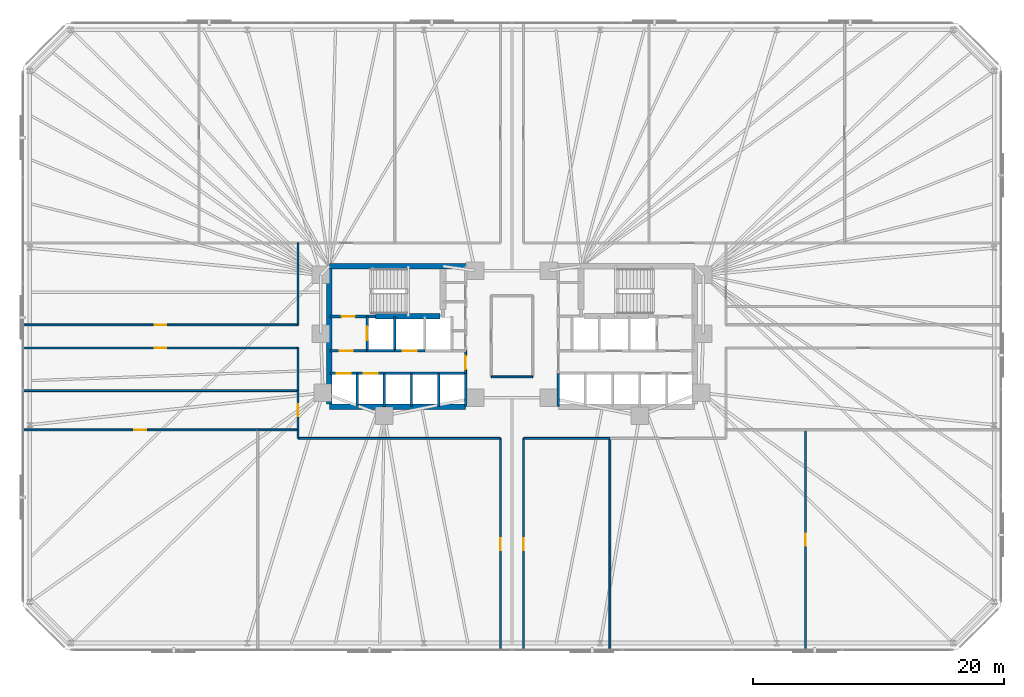
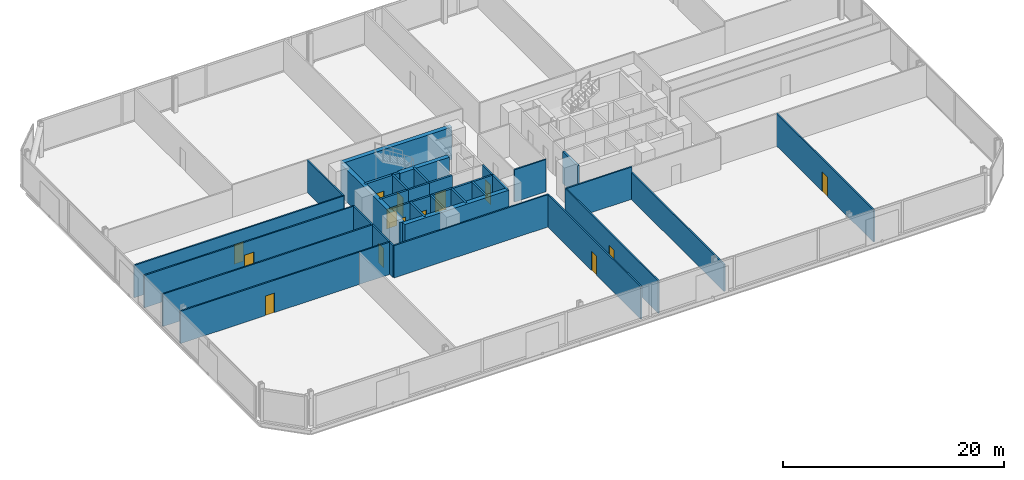
# One storey, part 12 of 17: 34 walls, 14 doors, 14 openings.
"""IFC4 building model written with IfcOpenShell, lengths in metres."""

from ifc_helpers import new_model, si_unit, direction, frame, frame_2d, origin, place, context, subcontext, project, spatial, rectangle, extrude, material, layer, layer_set, type_object, element, fill, save


model = new_model("IFC4")

# Units and contexts
model_context = context("Model", 3, precision=1e-05, world=origin(), true_north=direction((0.0, 1.0)))
body_context = subcontext(model_context, "Body", "Model", "MODEL_VIEW")
ifc_project = project(units=[si_unit("LENGTHUNIT", "METRE"), si_unit("AREAUNIT", "SQUARE_METRE"), si_unit("VOLUMEUNIT", "CUBIC_METRE"), si_unit("PLANEANGLEUNIT", "RADIAN"), si_unit("MASSUNIT", "GRAM", prefix="KILO")], contexts=[model_context])

# Site, building, storey
site_placement = place(None, origin())
site = spatial("IfcSite", under=ifc_project, at=site_placement, CompositionType="ELEMENT")
building_placement = place(site_placement, origin())
building = spatial("IfcBuilding", under=site, at=building_placement, Name="Menara Jurai Vektor", CompositionType="ELEMENT")
storey_placement = place(building_placement, frame((0.0, 0.0, 21.800048828125)))
storey = spatial("IfcBuildingStorey", under=building, at=storey_placement, Name="L04", CompositionType="ELEMENT", Elevation=21.800048828125)

# Wall, opening, door
ifc_material_1 = material(Name="Concrete C40/50", Category="concrete")
ifc_layer_1 = layer(ifc_material_1, 0.25)
ifc_layer_set_1 = layer_set([ifc_layer_1], Name="Concrete C40/50")
wall_type_1 = type_object("IfcWallType", Name="INT-WALL-CORE-250", PredefinedType="STANDARD", material=ifc_layer_set_1)
wall_1_placement = place(storey_placement, frame((-14.5, 1.60009765625, 0.0), z_axis=(0.0, 0.0, 1.0), x_axis=(1.0, 0.0, 0.0)))
wall_1 = element("IfcWall", 1, at=wall_1_placement, inside=storey, type_object=wall_type_1, Name="Interior Wall IW-250 L04", PredefinedType="STANDARD", context=body_context, shape_type="SweptSolid", body=[
    extrude(rectangle(XDim=3.60009765625, YDim=0.25, at=frame_2d((1.800048828125, 0.0))), origin(), (0.0, 0.0, 1.0), 3.574951171875),
])
opening_1_placement = place(wall_1_placement, frame((0.919921875, 0.0, 0.0)))
opening_1 = element("IfcOpeningElement", 2, at=opening_1_placement, cuts=wall_1, Name="Opening D-L04-ST1", PredefinedType="OPENING", context=body_context, shape_type="SweptSolid", body=[
    extrude(rectangle(XDim=1.050048828125, YDim=2.14990234375, at=frame_2d((0.52490234375, 1.074951171875))), frame((0.0, 0.135009765625, 0.0), z_axis=(0.0, -1.0, 0.0), x_axis=(1.0, 0.0, 0.0)), (0.0, 0.0, 1.0), 0.27001953125),
])
ifc_material_2 = material(Name="Fire-Rated Steel Door", Category="steel")
door_type_1 = type_object("IfcDoorType", Name="DR-STAIR-1050", OperationType="NOTDEFINED", PredefinedType="DOOR", material=ifc_material_2)
door_1_placement = place(opening_1_placement, origin())
door_1 = element("IfcDoor", 3, at=door_1_placement, inside=storey, type_object=door_type_1, Name="Exit Stair ST1 Door L04", OperationType="SINGLE_SWING_RIGHT", OverallHeight=2.14990234375, OverallWidth=1.050048828125, PredefinedType="DOOR", context=body_context, shape_type="SweptSolid", body=[
    extrude(rectangle(XDim=1.050048828125, YDim=2.14990234375, at=frame_2d((0.52490234375, 1.074951171875))), frame((0.0, 0.02490234375, 0.0), z_axis=(0.0, -1.0, 0.0), x_axis=(1.0, 0.0, 0.0)), (0.0, 0.0, 1.0), 0.050048828125),
])
fill(opening_1, door_1)

wall_2_placement = place(storey_placement, frame((-11.550048828125, -1.14990234375, 0.0), z_axis=(0.0, 0.0, 1.0), x_axis=(0.0, 1.0, 0.0)))
wall_2 = element("IfcWall", 4, at=wall_2_placement, inside=storey, type_object=wall_type_1, Name="Interior Wall IW-250 L04", PredefinedType="STANDARD", context=body_context, shape_type="SweptSolid", body=[
    extrude(rectangle(XDim=2.75, YDim=0.199951171875, at=frame_2d((1.375, 0.0))), origin(), (0.0, 0.0, 1.0), 3.574951171875),
])
opening_2_placement = place(wall_2_placement, frame((0.824951171875, 0.0, 0.0)))
opening_2 = element("IfcOpeningElement", 5, at=opening_2_placement, cuts=wall_2, Name="Opening LD-L04-FL1", PredefinedType="OPENING", context=body_context, shape_type="SweptSolid", body=[
    extrude(rectangle(XDim=1.10009765625, YDim=2.14990234375, at=frame_2d((0.550048828125, 1.074951171875))), frame((0.0, 0.10986328125, 0.0), z_axis=(0.0, -1.0, 0.0), x_axis=(1.0, 0.0, 0.0)), (0.0, 0.0, 1.0), 0.219970703125),
])
ifc_material_3 = material(Name="Stainless Steel Sliding Lift Landing Door", Category="steel")
door_type_2 = type_object("IfcDoorType", Name="DR-LIFT-FIRE-1100", OperationType="NOTDEFINED", PredefinedType="DOOR", material=ifc_material_3)
door_2_placement = place(opening_2_placement, origin())
door_2 = element("IfcDoor", 6, at=door_2_placement, inside=storey, type_object=door_type_2, Name="Lift Landing Door FL1 L04", OperationType="SLIDING_TO_RIGHT", OverallHeight=2.14990234375, OverallWidth=1.10009765625, PredefinedType="DOOR", context=body_context, shape_type="SweptSolid", body=[
    extrude(rectangle(XDim=1.10009765625, YDim=2.14990234375, at=frame_2d((0.550048828125, 1.074951171875))), frame((0.0, 0.02490234375, 0.0), z_axis=(0.0, -1.0, 0.0), x_axis=(1.0, 0.0, 0.0)), (0.0, 0.0, 1.0), 0.050048828125),
])
fill(opening_2, door_2)

# Wall
wall_3_placement = place(storey_placement, frame((-9.35009765625, -1.14990234375, 0.0), z_axis=(0.0, 0.0, 1.0), x_axis=(0.0, 1.0, 0.0)))
element("IfcWall", 7, at=wall_3_placement, inside=storey, type_object=wall_type_1, Name="Interior Wall IW-250 L04", PredefinedType="STANDARD", context=body_context, shape_type="SweptSolid", body=[
    extrude(rectangle(XDim=2.75, YDim=0.199951171875, at=frame_2d((1.375, 0.0))), origin(), (0.0, 0.0, 1.0), 3.574951171875),
])

# Wall, opening, door
wall_4_placement = place(storey_placement, frame((-14.5, -1.14990234375, 0.0), z_axis=(0.0, 0.0, 1.0), x_axis=(1.0, 0.0, 0.0)))
wall_4 = element("IfcWall", 8, at=wall_4_placement, inside=storey, type_object=wall_type_1, Name="Interior Wall IW-250 L04", PredefinedType="STANDARD", context=body_context, shape_type="SweptSolid", body=[
    extrude(rectangle(XDim=2.949951171875, YDim=0.199951171875, at=frame_2d((1.47509765625, 0.0))), origin(), (0.0, 0.0, 1.0), 3.574951171875),
])
opening_3_placement = place(wall_4_placement, frame((0.75, 0.0, 0.0)))
opening_3 = element("IfcOpeningElement", 9, at=opening_3_placement, cuts=wall_4, Name="Opening D-L04-FFW", PredefinedType="OPENING", context=body_context, shape_type="SweptSolid", body=[
    extrude(rectangle(XDim=1.050048828125, YDim=2.179931640625, at=frame_2d((0.52490234375, 1.08984375))), frame((0.0, 0.10986328125, 0.0), z_axis=(0.0, -1.0, 0.0), x_axis=(1.0, 0.0, 0.0)), (0.0, 0.0, 1.0), 0.219970703125),
])
ifc_material_4 = material(Name="Fire-Rated Timber Door", Category="wood")
door_type_3 = type_object("IfcDoorType", Name="DR-LOBBY-1050", OperationType="NOTDEFINED", PredefinedType="DOOR", material=ifc_material_4)
door_3_placement = place(opening_3_placement, origin())
door_3 = element("IfcDoor", 10, at=door_3_placement, inside=storey, type_object=door_type_3, Name="Fire Lift Lobby Door W L04", OperationType="SINGLE_SWING_RIGHT", OverallHeight=2.179931640625, OverallWidth=1.050048828125, PredefinedType="DOOR", context=body_context, shape_type="SweptSolid", body=[
    extrude(rectangle(XDim=1.050048828125, YDim=2.179931640625, at=frame_2d((0.52490234375, 1.08984375))), frame((0.0, 0.02490234375, 0.0), z_axis=(0.0, -1.0, 0.0), x_axis=(1.0, 0.0, 0.0)), (0.0, 0.0, 1.0), 0.050048828125),
])
fill(opening_3, door_3)

# Wall
wall_5_placement = place(storey_placement, frame((-11.550048828125, -1.14990234375, 0.0), z_axis=(0.0, 0.0, 1.0), x_axis=(1.0, 0.0, 0.0)))
element("IfcWall", 11, at=wall_5_placement, inside=storey, type_object=wall_type_1, Name="Interior Wall IW-250 L04", PredefinedType="STANDARD", context=body_context, shape_type="SweptSolid", body=[
    extrude(rectangle(XDim=2.199951171875, YDim=0.199951171875, at=frame_2d((1.10009765625, 0.0))), origin(), (0.0, 0.0, 1.0), 3.574951171875),
])

# Wall, opening, door
ifc_material_5 = material(Name="Gypsum Fireboard Partition", Category="gypsum")
ifc_layer_2 = layer(ifc_material_5, 0.14990234375)
ifc_layer_set_2 = layer_set([ifc_layer_2], Name="Gypsum Fireboard Partition")
wall_type_2 = type_object("IfcWallType", Name="INT-WALL-CORR-150", PredefinedType="PARTITIONING", material=ifc_layer_set_2)
wall_6_placement = place(storey_placement, frame((-3.699951171875, -2.949951171875, 0.0), z_axis=(0.0, 0.0, 1.0), x_axis=(0.0, 1.0, 0.0)))
wall_6 = element("IfcWall", 12, at=wall_6_placement, inside=storey, type_object=wall_type_2, Name="Interior Wall IW-150 L04", PredefinedType="PARTITIONING", context=body_context, shape_type="SweptSolid", body=[
    extrude(rectangle(XDim=1.800048828125, YDim=0.14990234375, at=frame_2d((0.89990234375, 0.0))), origin(), (0.0, 0.0, 1.0), 3.574951171875),
])
opening_4_placement = place(wall_6_placement, frame((0.35009765625, 0.0, 0.0)))
opening_4 = element("IfcOpeningElement", 13, at=opening_4_placement, cuts=wall_6, Name="Opening D-L04-LLW", PredefinedType="OPENING", context=body_context, shape_type="SweptSolid", body=[
    extrude(rectangle(XDim=1.050048828125, YDim=2.179931640625, at=frame_2d((0.52490234375, 1.08984375))), frame((0.0, 0.0849609375, 0.0), z_axis=(0.0, -1.0, 0.0), x_axis=(1.0, 0.0, 0.0)), (0.0, 0.0, 1.0), 0.169921875),
])
door_4_placement = place(opening_4_placement, origin())
door_4 = element("IfcDoor", 14, at=door_4_placement, inside=storey, type_object=door_type_3, Name="Lift Lobby Corridor Door W L04", OperationType="SINGLE_SWING_LEFT", OverallHeight=2.179931640625, OverallWidth=1.050048828125, PredefinedType="DOOR", context=body_context, shape_type="SweptSolid", body=[
    extrude(rectangle(XDim=1.050048828125, YDim=2.179931640625, at=frame_2d((0.52490234375, 1.08984375))), frame((0.0, 0.02490234375, 0.0), z_axis=(0.0, -1.0, 0.0), x_axis=(1.0, 0.0, 0.0)), (0.0, 0.0, 1.0), 0.050048828125),
])
fill(opening_4, door_4)

# Walls
wall_7_placement = place(storey_placement, frame((-1.64990234375, -3.22998046875, 0.0), z_axis=(0.0, 0.0, 1.0), x_axis=(1.0, 0.0, 0.0)))
element("IfcWall", 15, at=wall_7_placement, inside=storey, type_object=wall_type_2, Name="Interior Wall IW-150 L04", PredefinedType="PARTITIONING", context=body_context, shape_type="SweptSolid", body=[
    extrude(rectangle(XDim=3.2998046875, YDim=0.14990234375, at=frame_2d((1.64990234375, 0.0))), origin(), (0.0, 0.0, 1.0), 3.574951171875),
])
wall_8_placement = place(storey_placement, frame((-17.05908203125, -8.1298828125, 0.0), z_axis=(0.0, 0.0, 1.0), x_axis=(0.0, 1.0, 0.0)))
element("IfcWall", 16, at=wall_8_placement, inside=storey, type_object=wall_type_2, Name="Interior Wall IW-150 L04", PredefinedType="PARTITIONING", context=body_context, shape_type="SweptSolid", body=[
    extrude(rectangle(XDim=0.679931640625, YDim=0.14990234375, at=frame_2d((0.33984375, 0.0))), origin(), (0.0, 0.0, 1.0), 3.574951171875),
])
wall_9_placement = place(storey_placement, frame((-17.05908203125, -8.1298828125, 0.0), z_axis=(0.0, 0.0, 1.0), x_axis=(1.0, 0.0, 0.0)))
element("IfcWall", 17, at=wall_9_placement, inside=storey, type_object=wall_type_2, Name="Interior Wall IW-150 L04", PredefinedType="PARTITIONING", context=body_context, shape_type="SweptSolid", body=[
    extrude(rectangle(XDim=16.13916015625, YDim=0.14990234375, at=frame_2d((8.069580078125, 0.0))), origin(), (0.0, 0.0, 1.0), 3.574951171875),
])

# Wall, opening, door
wall_10_placement = place(storey_placement, frame((-0.919921875, -25.0, 0.0), z_axis=(0.0, 0.0, 1.0), x_axis=(0.0, 1.0, 0.0)))
wall_10 = element("IfcWall", 18, at=wall_10_placement, inside=storey, type_object=wall_type_2, Name="Interior Wall IW-150 L04", PredefinedType="PARTITIONING", context=body_context, shape_type="SweptSolid", body=[
    extrude(rectangle(XDim=16.8701171875, YDim=0.14990234375, at=frame_2d((8.43505859375, 0.0))), origin(), (0.0, 0.0, 1.0), 3.574951171875),
])
opening_5_placement = place(wall_10_placement, frame((7.9599609375, 0.0, 0.0)))
opening_5 = element("IfcOpeningElement", 19, at=opening_5_placement, cuts=wall_10, Name="Opening D04-11", PredefinedType="OPENING", context=body_context, shape_type="SweptSolid", body=[
    extrude(rectangle(XDim=0.949951171875, YDim=2.14990234375, at=frame_2d((0.47509765625, 1.074951171875))), frame((0.0, 0.0849609375, 0.0), z_axis=(0.0, -1.0, 0.0), x_axis=(1.0, 0.0, 0.0)), (0.0, 0.0, 1.0), 0.169921875),
])
ifc_material_6 = material(Name="Solid Core Timber Fire Door", Category="wood")
door_type_4 = type_object("IfcDoorType", Name="DR-ENTRY-950", OperationType="NOTDEFINED", PredefinedType="DOOR", material=ifc_material_6)
door_5_placement = place(opening_5_placement, origin())
door_5 = element("IfcDoor", 20, at=door_5_placement, inside=storey, type_object=door_type_4, Name="Interior Door D04-11", OperationType="SINGLE_SWING_RIGHT", OverallHeight=2.14990234375, OverallWidth=0.949951171875, PredefinedType="DOOR", context=body_context, shape_type="SweptSolid", body=[
    extrude(rectangle(XDim=0.949951171875, YDim=2.14990234375, at=frame_2d((0.47509765625, 1.074951171875))), frame((0.0, 0.02490234375, 0.0), z_axis=(0.0, -1.0, 0.0), x_axis=(1.0, 0.0, 0.0)), (0.0, 0.0, 1.0), 0.050048828125),
])
fill(opening_5, door_5)

wall_11_placement = place(storey_placement, frame((0.919921875, -25.0, 0.0), z_axis=(0.0, 0.0, 1.0), x_axis=(0.0, 1.0, 0.0)))
wall_11 = element("IfcWall", 21, at=wall_11_placement, inside=storey, type_object=wall_type_2, Name="Interior Wall IW-150 L04", PredefinedType="PARTITIONING", context=body_context, shape_type="SweptSolid", body=[
    extrude(rectangle(XDim=16.8701171875, YDim=0.14990234375, at=frame_2d((8.43505859375, 0.0))), origin(), (0.0, 0.0, 1.0), 3.574951171875),
])
opening_6_placement = place(wall_11_placement, frame((7.9599609375, 0.0, 0.0)))
opening_6 = element("IfcOpeningElement", 22, at=opening_6_placement, cuts=wall_11, Name="Opening D04-12", PredefinedType="OPENING", context=body_context, shape_type="SweptSolid", body=[
    extrude(rectangle(XDim=0.949951171875, YDim=2.14990234375, at=frame_2d((0.47509765625, 1.074951171875))), frame((0.0, 0.0849609375, 0.0), z_axis=(0.0, -1.0, 0.0), x_axis=(1.0, 0.0, 0.0)), (0.0, 0.0, 1.0), 0.169921875),
])
door_6_placement = place(opening_6_placement, origin())
door_6 = element("IfcDoor", 23, at=door_6_placement, inside=storey, type_object=door_type_4, Name="Interior Door D04-12", OperationType="SINGLE_SWING_LEFT", OverallHeight=2.14990234375, OverallWidth=0.949951171875, PredefinedType="DOOR", context=body_context, shape_type="SweptSolid", body=[
    extrude(rectangle(XDim=0.949951171875, YDim=2.14990234375, at=frame_2d((0.47509765625, 1.074951171875))), frame((0.0, 0.02490234375, 0.0), z_axis=(0.0, -1.0, 0.0), x_axis=(1.0, 0.0, 0.0)), (0.0, 0.0, 1.0), 0.050048828125),
])
fill(opening_6, door_6)

# Wall
wall_12_placement = place(storey_placement, frame((0.919921875, -8.1298828125, 0.0), z_axis=(0.0, 0.0, 1.0), x_axis=(1.0, 0.0, 0.0)))
element("IfcWall", 24, at=wall_12_placement, inside=storey, type_object=wall_type_2, Name="Interior Wall IW-150 L04", PredefinedType="PARTITIONING", context=body_context, shape_type="SweptSolid", body=[
    extrude(rectangle(XDim=6.880126953125, YDim=0.14990234375, at=frame_2d((3.43994140625, 0.0))), origin(), (0.0, 0.0, 1.0), 3.574951171875),
])

# Wall, opening, door
wall_13_placement = place(storey_placement, frame((-17.05908203125, -7.449951171875, 0.0), z_axis=(0.0, 0.0, 1.0), x_axis=(0.0, 1.0, 0.0)))
wall_13 = element("IfcWall", 25, at=wall_13_placement, inside=storey, type_object=wall_type_2, Name="Interior Wall IW-150 L04", PredefinedType="PARTITIONING", context=body_context, shape_type="SweptSolid", body=[
    extrude(rectangle(XDim=3.12890625, YDim=0.14990234375, at=frame_2d((1.564453125, 0.0))), origin(), (0.0, 0.0, 1.0), 3.574951171875),
])
opening_7_placement = place(wall_13_placement, frame((1.089599609375, 0.0, 0.0)))
opening_7 = element("IfcOpeningElement", 26, at=opening_7_placement, cuts=wall_13, Name="Opening D04-14", PredefinedType="OPENING", context=body_context, shape_type="SweptSolid", body=[
    extrude(rectangle(XDim=0.949951171875, YDim=2.14990234375, at=frame_2d((0.47509765625, 1.074951171875))), frame((0.0, 0.0849609375, 0.0), z_axis=(0.0, -1.0, 0.0), x_axis=(1.0, 0.0, 0.0)), (0.0, 0.0, 1.0), 0.169921875),
])
door_7_placement = place(opening_7_placement, origin())
door_7 = element("IfcDoor", 27, at=door_7_placement, inside=storey, type_object=door_type_4, Name="Interior Door D04-14", OperationType="SINGLE_SWING_LEFT", OverallHeight=2.14990234375, OverallWidth=0.949951171875, PredefinedType="DOOR", context=body_context, shape_type="SweptSolid", body=[
    extrude(rectangle(XDim=0.949951171875, YDim=2.14990234375, at=frame_2d((0.47509765625, 1.074951171875))), frame((0.0, 0.02490234375, 0.0), z_axis=(0.0, -1.0, 0.0), x_axis=(1.0, 0.0, 0.0)), (0.0, 0.0, 1.0), 0.050048828125),
])
fill(opening_7, door_7)

wall_14_placement = place(storey_placement, frame((-39.0, -0.919921875, 0.0), z_axis=(0.0, 0.0, 1.0), x_axis=(1.0, 0.0, 0.0)))
wall_14 = element("IfcWall", 28, at=wall_14_placement, inside=storey, type_object=wall_type_2, Name="Interior Wall IW-150 L04", PredefinedType="PARTITIONING", context=body_context, shape_type="SweptSolid", body=[
    extrude(rectangle(XDim=21.94091796875, YDim=0.14990234375, at=frame_2d((10.970458984375, 0.0))), origin(), (0.0, 0.0, 1.0), 3.574951171875),
])
opening_8_placement = place(wall_14_placement, frame((10.49560546875, 0.0, 0.0)))
opening_8 = element("IfcOpeningElement", 29, at=opening_8_placement, cuts=wall_14, Name="Opening D04-15", PredefinedType="OPENING", context=body_context, shape_type="SweptSolid", body=[
    extrude(rectangle(XDim=0.949951171875, YDim=2.14990234375, at=frame_2d((0.47509765625, 1.074951171875))), frame((0.0, 0.0849609375, 0.0), z_axis=(0.0, -1.0, 0.0), x_axis=(1.0, 0.0, 0.0)), (0.0, 0.0, 1.0), 0.169921875),
])
door_8_placement = place(opening_8_placement, origin())
door_8 = element("IfcDoor", 30, at=door_8_placement, inside=storey, type_object=door_type_4, Name="Interior Door D04-15", OperationType="SINGLE_SWING_RIGHT", OverallHeight=2.14990234375, OverallWidth=0.949951171875, PredefinedType="DOOR", context=body_context, shape_type="SweptSolid", body=[
    extrude(rectangle(XDim=0.949951171875, YDim=2.14990234375, at=frame_2d((0.47509765625, 1.074951171875))), frame((0.0, 0.02490234375, 0.0), z_axis=(0.0, -1.0, 0.0), x_axis=(1.0, 0.0, 0.0)), (0.0, 0.0, 1.0), 0.050048828125),
])
fill(opening_8, door_8)

# Wall
wall_15_placement = place(storey_placement, frame((-17.05908203125, -4.321044921875, 0.0), z_axis=(0.0, 0.0, 1.0), x_axis=(0.0, 1.0, 0.0)))
element("IfcWall", 31, at=wall_15_placement, inside=storey, type_object=wall_type_2, Name="Interior Wall IW-150 L04", PredefinedType="PARTITIONING", context=body_context, shape_type="SweptSolid", body=[
    extrude(rectangle(XDim=3.401123046875, YDim=0.14990234375, at=frame_2d((1.70068359375, 0.0))), origin(), (0.0, 0.0, 1.0), 3.574951171875),
])

# Wall, opening, door
wall_16_placement = place(storey_placement, frame((-39.0, 0.919921875, 0.0), z_axis=(0.0, 0.0, 1.0), x_axis=(1.0, 0.0, 0.0)))
wall_16 = element("IfcWall", 32, at=wall_16_placement, inside=storey, type_object=wall_type_2, Name="Interior Wall IW-150 L04", PredefinedType="PARTITIONING", context=body_context, shape_type="SweptSolid", body=[
    extrude(rectangle(XDim=21.94091796875, YDim=0.14990234375, at=frame_2d((10.970458984375, 0.0))), origin(), (0.0, 0.0, 1.0), 3.574951171875),
])
opening_9_placement = place(wall_16_placement, frame((10.49560546875, 0.0, 0.0)))
opening_9 = element("IfcOpeningElement", 33, at=opening_9_placement, cuts=wall_16, Name="Opening D04-16", PredefinedType="OPENING", context=body_context, shape_type="SweptSolid", body=[
    extrude(rectangle(XDim=0.949951171875, YDim=2.14990234375, at=frame_2d((0.47509765625, 1.074951171875))), frame((0.0, 0.0849609375, 0.0), z_axis=(0.0, -1.0, 0.0), x_axis=(1.0, 0.0, 0.0)), (0.0, 0.0, 1.0), 0.169921875),
])
door_9_placement = place(opening_9_placement, origin())
door_9 = element("IfcDoor", 34, at=door_9_placement, inside=storey, type_object=door_type_4, Name="Interior Door D04-16", OperationType="SINGLE_SWING_LEFT", OverallHeight=2.14990234375, OverallWidth=0.949951171875, PredefinedType="DOOR", context=body_context, shape_type="SweptSolid", body=[
    extrude(rectangle(XDim=0.949951171875, YDim=2.14990234375, at=frame_2d((0.47509765625, 1.074951171875))), frame((0.0, 0.02490234375, 0.0), z_axis=(0.0, -1.0, 0.0), x_axis=(1.0, 0.0, 0.0)), (0.0, 0.0, 1.0), 0.050048828125),
])
fill(opening_9, door_9)

# Wall
wall_17_placement = place(storey_placement, frame((-17.05908203125, 0.919921875, 0.0), z_axis=(0.0, 0.0, 1.0), x_axis=(0.0, 1.0, 0.0)))
element("IfcWall", 35, at=wall_17_placement, inside=storey, type_object=wall_type_2, Name="Interior Wall IW-150 L04", PredefinedType="PARTITIONING", context=body_context, shape_type="SweptSolid", body=[
    extrude(rectangle(XDim=6.530029296875, YDim=0.14990234375, at=frame_2d((3.26513671875, 0.0))), origin(), (0.0, 0.0, 1.0), 3.574951171875),
])

# Wall, opening, door
wall_18_placement = place(storey_placement, frame((-39.0, -7.449951171875, 0.0), z_axis=(0.0, 0.0, 1.0), x_axis=(1.0, 0.0, 0.0)))
wall_18 = element("IfcWall", 36, at=wall_18_placement, inside=storey, type_object=wall_type_2, Name="Interior Wall IW-150 L04", PredefinedType="PARTITIONING", context=body_context, shape_type="SweptSolid", body=[
    extrude(rectangle(XDim=18.719970703125, YDim=0.14990234375, at=frame_2d((9.35986328125, 0.0))), origin(), (0.0, 0.0, 1.0), 3.574951171875),
])
opening_10_placement = place(wall_18_placement, frame((8.885009765625, 0.0, 0.0)))
opening_10 = element("IfcOpeningElement", 37, at=opening_10_placement, cuts=wall_18, Name="Opening D04-22", PredefinedType="OPENING", context=body_context, shape_type="SweptSolid", body=[
    extrude(rectangle(XDim=0.949951171875, YDim=2.14990234375, at=frame_2d((0.47509765625, 1.074951171875))), frame((0.0, 0.0849609375, 0.0), z_axis=(0.0, -1.0, 0.0), x_axis=(1.0, 0.0, 0.0)), (0.0, 0.0, 1.0), 0.169921875),
])
door_10_placement = place(opening_10_placement, origin())
door_10 = element("IfcDoor", 38, at=door_10_placement, inside=storey, type_object=door_type_4, Name="Interior Door D04-22", OperationType="SINGLE_SWING_LEFT", OverallHeight=2.14990234375, OverallWidth=0.949951171875, PredefinedType="DOOR", context=body_context, shape_type="SweptSolid", body=[
    extrude(rectangle(XDim=0.949951171875, YDim=2.14990234375, at=frame_2d((0.47509765625, 1.074951171875))), frame((0.0, 0.02490234375, 0.0), z_axis=(0.0, -1.0, 0.0), x_axis=(1.0, 0.0, 0.0)), (0.0, 0.0, 1.0), 0.050048828125),
])
fill(opening_10, door_10)

# Wall
wall_19_placement = place(storey_placement, frame((-20.280029296875, -7.449951171875, 0.0), z_axis=(0.0, 0.0, 1.0), x_axis=(1.0, 0.0, 0.0)))
element("IfcWall", 39, at=wall_19_placement, inside=storey, type_object=wall_type_2, Name="Interior Wall IW-150 L04", PredefinedType="PARTITIONING", context=body_context, shape_type="SweptSolid", body=[
    extrude(rectangle(XDim=3.220947265625, YDim=0.14990234375, at=frame_2d((1.6103515625, 0.0))), origin(), (0.0, 0.0, 1.0), 3.574951171875),
])

# Wall, opening, door
wall_20_placement = place(storey_placement, frame((23.39990234375, -25.0, 0.0), z_axis=(0.0, 0.0, 1.0), x_axis=(0.0, 1.0, 0.0)))
wall_20 = element("IfcWall", 40, at=wall_20_placement, inside=storey, type_object=wall_type_2, Name="Interior Wall IW-150 L04", PredefinedType="PARTITIONING", context=body_context, shape_type="SweptSolid", body=[
    extrude(rectangle(XDim=17.550048828125, YDim=0.14990234375, at=frame_2d((8.77490234375, 0.0))), origin(), (0.0, 0.0, 1.0), 3.574951171875),
])
opening_11_placement = place(wall_20_placement, frame((8.300048828125, 0.0, 0.0)))
opening_11 = element("IfcOpeningElement", 41, at=opening_11_placement, cuts=wall_20, Name="Opening D04-23", PredefinedType="OPENING", context=body_context, shape_type="SweptSolid", body=[
    extrude(rectangle(XDim=0.949951171875, YDim=2.14990234375, at=frame_2d((0.47509765625, 1.074951171875))), frame((0.0, 0.0849609375, 0.0), z_axis=(0.0, -1.0, 0.0), x_axis=(1.0, 0.0, 0.0)), (0.0, 0.0, 1.0), 0.169921875),
])
door_11_placement = place(opening_11_placement, origin())
door_11 = element("IfcDoor", 42, at=door_11_placement, inside=storey, type_object=door_type_4, Name="Interior Door D04-23", OperationType="SINGLE_SWING_RIGHT", OverallHeight=2.14990234375, OverallWidth=0.949951171875, PredefinedType="DOOR", context=body_context, shape_type="SweptSolid", body=[
    extrude(rectangle(XDim=0.949951171875, YDim=2.14990234375, at=frame_2d((0.47509765625, 1.074951171875))), frame((0.0, 0.02490234375, 0.0), z_axis=(0.0, -1.0, 0.0), x_axis=(1.0, 0.0, 0.0)), (0.0, 0.0, 1.0), 0.050048828125),
])
fill(opening_11, door_11)

# Walls
wall_21_placement = place(storey_placement, frame((-39.0, -4.321044921875, 0.0), z_axis=(0.0, 0.0, 1.0), x_axis=(1.0, 0.0, 0.0)))
element("IfcWall", 43, at=wall_21_placement, inside=storey, type_object=wall_type_2, Name="Interior Wall IW-150 L04", PredefinedType="PARTITIONING", context=body_context, shape_type="SweptSolid", body=[
    extrude(rectangle(XDim=21.94091796875, YDim=0.14990234375, at=frame_2d((10.970458984375, 0.0))), origin(), (0.0, 0.0, 1.0), 3.574951171875),
])
ifc_layer_3 = layer(ifc_material_5, 0.14990234375)
ifc_layer_set_3 = layer_set([ifc_layer_3], Name="Gypsum Fireboard Partition")
wall_type_3 = type_object("IfcWallType", Name="INT-WALL-CORR-150-H2", PredefinedType="PARTITIONING", material=ifc_layer_set_3)
wall_22_placement = place(storey_placement, frame((7.800048828125, -25.0, 0.0), z_axis=(0.0, 0.0, 1.0), x_axis=(0.0, 1.0, 0.0)))
element("IfcWall", 44, at=wall_22_placement, inside=storey, type_object=wall_type_3, Name="Interior Wall IW-150 L04", PredefinedType="PARTITIONING", context=body_context, shape_type="SweptSolid", body=[
    extrude(rectangle(XDim=16.8701171875, YDim=0.14990234375, at=frame_2d((8.43505859375, 0.0))), origin(), (0.0, 0.0, 1.0), 2.974853515625),
])
ifc_layer_4 = layer(ifc_material_1, 0.199951171875)
ifc_layer_set_4 = layer_set([ifc_layer_4], Name="Concrete C40/50")
wall_type_4 = type_object("IfcWallType", Name="INT-WALL-SHAFT-200", PredefinedType="STANDARD", material=ifc_layer_set_4)
wall_23_placement = place(storey_placement, frame((-3.699951171875, -5.60009765625, 0.0), z_axis=(0.0, 0.0, 1.0), x_axis=(0.0, 1.0, 0.0)))
element("IfcWall", 45, at=wall_23_placement, inside=storey, type_object=wall_type_4, Name="Interior Wall IW-200 L04", PredefinedType="STANDARD", context=body_context, shape_type="SweptSolid", body=[
    extrude(rectangle(XDim=2.650146484375, YDim=0.199951171875, at=frame_2d((1.3251953125, 0.0))), origin(), (0.0, 0.0, 1.0), 3.574951171875),
])

# Wall, opening, door
wall_24_placement = place(storey_placement, frame((-9.35009765625, -1.14990234375, 0.0), z_axis=(0.0, 0.0, 1.0), x_axis=(1.0, 0.0, 0.0)))
wall_24 = element("IfcWall", 46, at=wall_24_placement, inside=storey, type_object=wall_type_4, Name="Interior Wall IW-200 L04", PredefinedType="STANDARD", context=body_context, shape_type="SweptSolid", body=[
    extrude(rectangle(XDim=2.400146484375, YDim=0.199951171875, at=frame_2d((1.2001953125, 0.0))), origin(), (0.0, 0.0, 1.0), 3.574951171875),
])
opening_12_placement = place(wall_24_placement, frame((0.64990234375, 0.0, 0.0)))
opening_12 = element("IfcOpeningElement", 47, at=opening_12_placement, cuts=wall_24, Name="Opening LD-L04-SVL1", PredefinedType="OPENING", context=body_context, shape_type="SweptSolid", body=[
    extrude(rectangle(XDim=1.10009765625, YDim=2.14990234375, at=frame_2d((0.550048828125, 1.074951171875))), frame((0.0, 0.10986328125, 0.0), z_axis=(0.0, -1.0, 0.0), x_axis=(1.0, 0.0, 0.0)), (0.0, 0.0, 1.0), 0.219970703125),
])
ifc_material_7 = material(Name="Anodised Stainless Sliding Lift Landing Door", Category="steel")
door_type_5 = type_object("IfcDoorType", Name="DR-LIFT-PASS-1100", OperationType="NOTDEFINED", PredefinedType="DOOR", material=ifc_material_7)
door_12_placement = place(opening_12_placement, origin())
door_12 = element("IfcDoor", 48, at=door_12_placement, inside=storey, type_object=door_type_5, Name="Lift Landing Door SVL1 L04", OperationType="SLIDING_TO_RIGHT", OverallHeight=2.14990234375, OverallWidth=1.10009765625, PredefinedType="DOOR", context=body_context, shape_type="SweptSolid", body=[
    extrude(rectangle(XDim=1.10009765625, YDim=2.14990234375, at=frame_2d((0.550048828125, 1.074951171875))), frame((0.0, 0.02490234375, 0.0), z_axis=(0.0, -1.0, 0.0), x_axis=(1.0, 0.0, 0.0)), (0.0, 0.0, 1.0), 0.050048828125),
])
fill(opening_12, door_12)

# Wall, openings, doors
wall_25_placement = place(storey_placement, frame((-14.5, -2.949951171875, 0.0), z_axis=(0.0, 0.0, 1.0), x_axis=(1.0, 0.0, 0.0)))
wall_25 = element("IfcWall", 49, at=wall_25_placement, inside=storey, type_object=wall_type_4, Name="Interior Wall IW-200 L04", PredefinedType="STANDARD", context=body_context, shape_type="SweptSolid", body=[
    extrude(rectangle(XDim=10.800048828125, YDim=0.199951171875, at=frame_2d((5.39990234375, 0.0))), origin(), (0.0, 0.0, 1.0), 3.574951171875),
])
opening_13_placement = place(wall_25_placement, frame((0.530029296875, 0.0, 0.0)))
opening_13 = element("IfcOpeningElement", 50, at=opening_13_placement, cuts=wall_25, Name="Opening LD-L04-PL1", PredefinedType="OPENING", context=body_context, shape_type="SweptSolid", body=[
    extrude(rectangle(XDim=1.10009765625, YDim=2.14990234375, at=frame_2d((0.550048828125, 1.074951171875))), frame((0.0, 0.10986328125, 0.0), z_axis=(0.0, -1.0, 0.0), x_axis=(1.0, 0.0, 0.0)), (0.0, 0.0, 1.0), 0.219970703125),
])
opening_14_placement = place(wall_25_placement, frame((2.68994140625, 0.0, 0.0)))
opening_14 = element("IfcOpeningElement", 51, at=opening_14_placement, cuts=wall_25, Name="Opening LD-L04-PL2", PredefinedType="OPENING", context=body_context, shape_type="SweptSolid", body=[
    extrude(rectangle(XDim=1.10009765625, YDim=2.14990234375, at=frame_2d((0.550048828125, 1.074951171875))), frame((0.0, 0.10986328125, 0.0), z_axis=(0.0, -1.0, 0.0), x_axis=(1.0, 0.0, 0.0)), (0.0, 0.0, 1.0), 0.219970703125),
])
door_13_placement = place(opening_13_placement, origin())
door_13 = element("IfcDoor", 52, at=door_13_placement, inside=storey, type_object=door_type_5, Name="Lift Landing Door PL1 L04", OperationType="SLIDING_TO_RIGHT", OverallHeight=2.14990234375, OverallWidth=1.10009765625, PredefinedType="DOOR", context=body_context, shape_type="SweptSolid", body=[
    extrude(rectangle(XDim=1.10009765625, YDim=2.14990234375, at=frame_2d((0.550048828125, 1.074951171875))), frame((0.0, 0.02490234375, 0.0), z_axis=(0.0, -1.0, 0.0), x_axis=(1.0, 0.0, 0.0)), (0.0, 0.0, 1.0), 0.050048828125),
])
fill(opening_13, door_13)
door_14_placement = place(opening_14_placement, origin())
door_14 = element("IfcDoor", 53, at=door_14_placement, inside=storey, type_object=door_type_5, Name="Lift Landing Door PL2 L04", OperationType="SLIDING_TO_RIGHT", OverallHeight=2.14990234375, OverallWidth=1.10009765625, PredefinedType="DOOR", context=body_context, shape_type="SweptSolid", body=[
    extrude(rectangle(XDim=1.10009765625, YDim=2.14990234375, at=frame_2d((0.550048828125, 1.074951171875))), frame((0.0, 0.02490234375, 0.0), z_axis=(0.0, -1.0, 0.0), x_axis=(1.0, 0.0, 0.0)), (0.0, 0.0, 1.0), 0.050048828125),
])
fill(opening_14, door_14)

# Walls
wall_26_placement = place(storey_placement, frame((-5.860107421875, -5.60009765625, 0.0), z_axis=(0.0, 0.0, 1.0), x_axis=(0.0, 1.0, 0.0)))
element("IfcWall", 54, at=wall_26_placement, inside=storey, type_object=wall_type_4, Name="Interior Wall IW-200 L04", PredefinedType="STANDARD", context=body_context, shape_type="SweptSolid", body=[
    extrude(rectangle(XDim=2.650146484375, YDim=0.199951171875, at=frame_2d((1.3251953125, 0.0))), origin(), (0.0, 0.0, 1.0), 3.574951171875),
])
for number, where, z_axis, x_axis, name in (
    (55, (-12.340087890625, -5.60009765625, 0.0), (0.0, 0.0, 1.0), (0.0, 1.0, 0.0), "Interior Wall IW-200 L04"),
    (56, (-10.179931640625, -5.60009765625, 0.0), (0.0, 0.0, 1.0), (0.0, 1.0, 0.0), "Interior Wall IW-200 L04"),
    (57, (-8.02001953125, -5.60009765625, 0.0), (0.0, 0.0, 1.0), (0.0, 1.0, 0.0), "Interior Wall IW-200 L04"),
):
    element("IfcWall", number, at=place(storey_placement, frame(where, z_axis=z_axis, x_axis=x_axis)), inside=storey, type_object=wall_type_4, Name=name, PredefinedType="STANDARD", context=body_context, shape_type="SweptSolid", body=[
        extrude(rectangle(XDim=2.650146484375, YDim=0.179931640625, at=frame_2d((1.3251953125, 0.0))), origin(), (0.0, 0.0, 1.0), 3.574951171875),
    ])
wall_27_placement = place(storey_placement, frame((3.699951171875, -5.60009765625, 0.0), z_axis=(0.0, 0.0, 1.0), x_axis=(0.0, 1.0, 0.0)))
element("IfcWall", 58, at=wall_27_placement, inside=storey, type_object=wall_type_4, Name="Interior Wall IW-200 L04", PredefinedType="STANDARD", context=body_context, shape_type="SweptSolid", body=[
    extrude(rectangle(XDim=2.650146484375, YDim=0.199951171875, at=frame_2d((1.3251953125, 0.0))), origin(), (0.0, 0.0, 1.0), 3.574951171875),
])
ifc_material_8 = material(Name="Concrete C60/75", Category="concrete")
ifc_layer_5 = layer(ifc_material_8, 0.449951171875)
ifc_layer_set_5 = layer_set([ifc_layer_5], Name="Concrete C60/75")
wall_type_5 = type_object("IfcWallType", Name="STR-WALL-CORE450", PredefinedType="SHEAR", material=ifc_layer_set_5)
wall_28_placement = place(storey_placement, frame((-14.56005859375, 5.60009765625, 0.0), z_axis=(0.0, 0.0, 1.0), x_axis=(1.0, 0.0, 0.0)))
element("IfcWall", 59, at=wall_28_placement, inside=storey, type_object=wall_type_5, Name="Core Shear Wall CW-W-N L04", PredefinedType="SHEAR", context=body_context, shape_type="SweptSolid", body=[
    extrude(rectangle(XDim=11.41015625, YDim=0.449951171875, at=frame_2d((5.705078125, 0.0))), origin(), (0.0, 0.0, 1.0), 3.574951171875),
])
wall_29_placement = place(storey_placement, frame((-14.56005859375, -5.60009765625, 0.0), z_axis=(0.0, 0.0, 1.0), x_axis=(1.0, 0.0, 0.0)))
element("IfcWall", 60, at=wall_29_placement, inside=storey, type_object=wall_type_5, Name="Core Shear Wall CW-W-S L04", PredefinedType="SHEAR", context=body_context, shape_type="SweptSolid", body=[
    extrude(rectangle(XDim=10.860107421875, YDim=0.449951171875, at=frame_2d((5.43017578125, 0.0))), origin(), (0.0, 0.0, 1.0), 3.574951171875),
])
wall_30_placement = place(storey_placement, frame((-14.56005859375, -5.375, 0.0), z_axis=(0.0, 0.0, 1.0), x_axis=(0.0, 1.0, 0.0)))
element("IfcWall", 61, at=wall_30_placement, inside=storey, type_object=wall_type_5, Name="Core Shear Wall CW-W-W L04", PredefinedType="SHEAR", context=body_context, shape_type="SweptSolid", body=[
    extrude(rectangle(XDim=10.75, YDim=0.449951171875, at=frame_2d((5.375, 0.0))), origin(), (0.0, 0.0, 1.0), 3.574951171875),
])
wall_31_placement = place(storey_placement, frame((-10.89990234375, 1.60009765625, 0.0), z_axis=(0.0, 0.0, 1.0), x_axis=(1.0, 0.0, 0.0)))
element("IfcWall", 62, at=wall_31_placement, inside=storey, type_object=wall_type_5, Name="Core Shear Wall CW-W-STS L04", PredefinedType="SHEAR", context=body_context, shape_type="SweptSolid", body=[
    extrude(rectangle(XDim=5.14990234375, YDim=0.449951171875, at=frame_2d((2.574951171875, 0.0))), origin(), (0.0, 0.0, 1.0), 3.574951171875),
])

save(model, "model.ifc")
